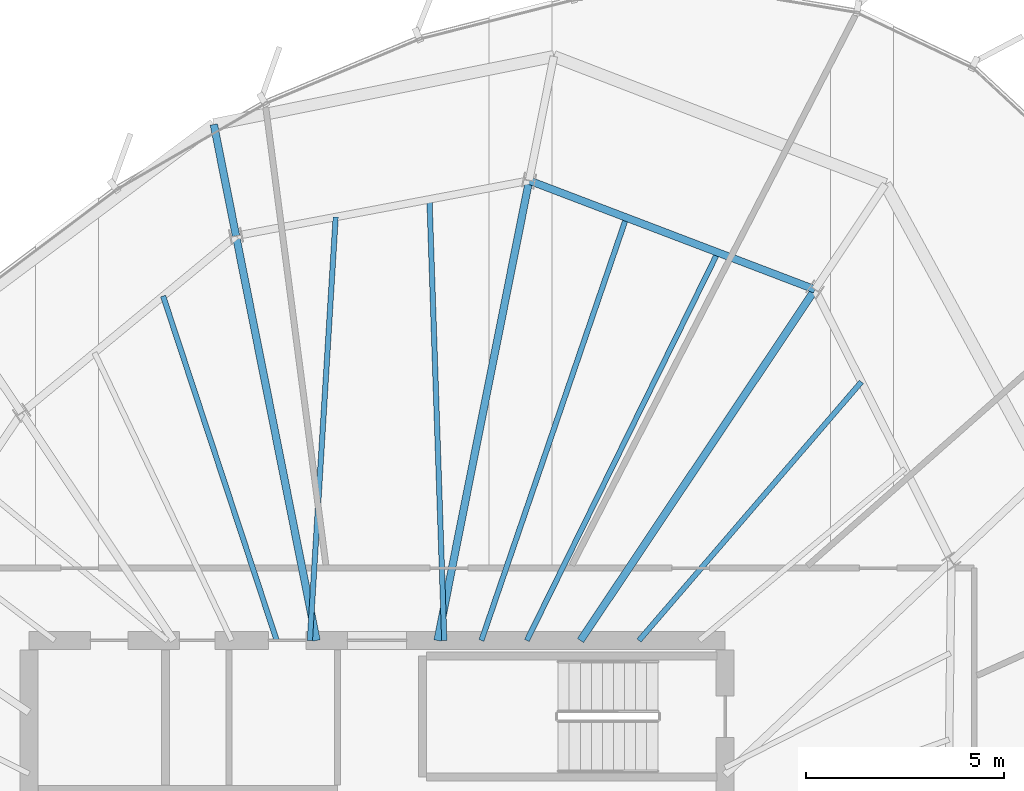
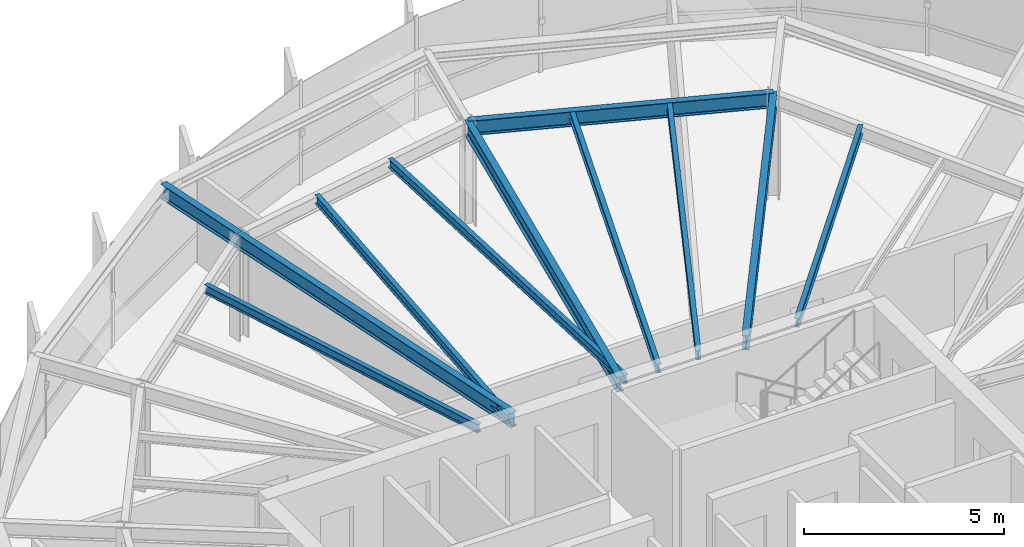
# One storey, part 21 of 34: 11 beams.
"""IFC4 building model written with IfcOpenShell, lengths in metres."""

import ifcopenshell
import ifcopenshell.guid

model = None  # the IFC model being written
_history = None  # IfcOwnerHistory: only IFC2X3 demands one
_inside = {}  # id of a spatial element -> (the spatial element, [elements in it])
_under = {}  # id of a project, library or spatial element -> (it, [spatial elements below it])
_declared = {}  # id of a project -> (the project, [libraries it declares])
_typed = {}  # id of a type object -> (the type object, [elements of that type])
_made_of = {}  # id of a material, layer set ... -> (it, [elements and type objects made of it])


def new_model(schema):
    """Start an empty IFC model of exactly this schema.

    Asked for "IFC4X3", IfcOpenShell would pick the latest addendum, in which some entities
    have other attributes; the version numbers below select the first issue.
    IFC2X3 requires an IfcOwnerHistory on every rooted entity: one is made here for all.
    """
    global model, _history
    if schema == "IFC4X3":
        model = ifcopenshell.file(schema_version=(4, 3, 0, 0))
    else:
        model = ifcopenshell.file(schema=schema)
    _inside.clear()
    _under.clear()
    _declared.clear()
    _typed.clear()
    _made_of.clear()
    _history = None
    if model.schema == "IFC2X3":
        org = make("IfcOrganization", Name="unknown")
        user = make(
            "IfcPersonAndOrganization",
            ThePerson=make("IfcPerson", FamilyName="unknown"),
            TheOrganization=org,
        )
        app = make(
            "IfcApplication",
            ApplicationDeveloper=org,
            Version="unknown",
            ApplicationFullName="unknown",
            ApplicationIdentifier="unknown",
        )
        _history = make(
            "IfcOwnerHistory",
            OwningUser=user,
            OwningApplication=app,
            ChangeAction="ADDED",
            CreationDate=0,
        )
    return model


def make(cls, **values):
    """One entity of the class cls with the attributes given. An attribute that is None is left unset."""
    return model.create_entity(
        cls, **{name: value for name, value in values.items() if value is not None}
    )


def rooted(cls, **values):
    """An entity with a GlobalId (a new one), such as an element, a storey or a relation."""
    return make(cls, GlobalId=ifcopenshell.guid.new(), OwnerHistory=_history, **values)


def si_unit(unit_type, name, prefix=None):
    """IfcSIUnit, for example si_unit("LENGTHUNIT", "METRE", prefix="MILLI")."""
    return make("IfcSIUnit", UnitType=unit_type, Prefix=prefix, Name=name)


def assignment(units):
    """IfcUnitAssignment: the units of a project."""
    return None if units is None else make("IfcUnitAssignment", Units=units)


def point(xyz):
    """IfcCartesianPoint."""
    return None if xyz is None else make("IfcCartesianPoint", Coordinates=xyz)


def direction(xyz):
    """IfcDirection."""
    return None if xyz is None else make("IfcDirection", DirectionRatios=xyz)


def frame(location, z_axis=None, x_axis=None):
    """IfcAxis2Placement3D, a coordinate frame: its origin and axes. An axis left out is left unset."""
    return make(
        "IfcAxis2Placement3D",
        Location=point(location),
        Axis=direction(z_axis),
        RefDirection=direction(x_axis),
    )


def frame_2d(location, x_axis=None):
    """IfcAxis2Placement2D, a coordinate frame in the plane: its origin and x axis."""
    return make(
        "IfcAxis2Placement2D", Location=point(location), RefDirection=direction(x_axis)
    )


def origin():
    """The frame at (0, 0, 0) with its axes left unset."""
    return frame((0.0, 0.0, 0.0))


def origin_2d():
    """The frame at (0, 0) in the plane with its x axis left unset."""
    return frame_2d((0.0, 0.0))


def place(relative_to, where):
    """IfcLocalPlacement: puts the frame where relative to a parent placement (None: the world)."""
    return make(
        "IfcLocalPlacement", PlacementRelTo=relative_to, RelativePlacement=where
    )


def context(
    kind, dimensions, precision=None, world=None, true_north=None, identifier=None
):
    """IfcGeometricRepresentationContext, for example the 3D "Model" context."""
    return make(
        "IfcGeometricRepresentationContext",
        ContextIdentifier=identifier,
        ContextType=kind,
        CoordinateSpaceDimension=dimensions,
        Precision=precision,
        WorldCoordinateSystem=world,
        TrueNorth=true_north,
    )


def subcontext(parent, identifier, kind, view, scale=None):
    """IfcGeometricRepresentationSubContext, for example "Body" below "Model"."""
    return make(
        "IfcGeometricRepresentationSubContext",
        ContextIdentifier=identifier,
        ContextType=kind,
        ParentContext=parent,
        TargetScale=scale,
        TargetView=view,
    )


def project(units=None, contexts=None):
    """IfcProject with its units and contexts."""
    return rooted(
        "IfcProject",
        Name="project",
        RepresentationContexts=contexts,
        UnitsInContext=assignment(units),
    )


def spatial(cls, under=None, at=None, **own):
    """A site, building, storey or space (cls), placed at a placement, below another one or the project."""
    s = rooted(cls, ObjectPlacement=at, **own)
    if under is not None:
        _under.setdefault(under.id(), (under, []))[1].append(s)
    return s


def profile(cls, at=None, kind="AREA", **sizes):
    """A parametric profile (cls). Its sizes go by their IFC names, for example OverallWidth=200.0."""
    return make(cls, ProfileType=kind, Position=at, **sizes)


def i_section(**sizes):
    """IfcIShapeProfileDef."""
    return profile("IfcIShapeProfileDef", **sizes)


def extrude(swept, where, along, depth):
    """IfcExtrudedAreaSolid: the profile swept, set in the frame where, extruded along a direction by depth."""
    return make(
        "IfcExtrudedAreaSolid",
        SweptArea=swept,
        Position=where,
        ExtrudedDirection=direction(along),
        Depth=depth,
    )


def shape(context_of_items, identifier, shape_type, items):
    """IfcShapeRepresentation: the items that make up one representation, for example the "Body"."""
    return make(
        "IfcShapeRepresentation",
        ContextOfItems=context_of_items,
        RepresentationIdentifier=identifier,
        RepresentationType=shape_type,
        Items=items,
    )


def source(mapping_origin, context_of_items, identifier, shape_type, items):
    """IfcRepresentationMap: a shape defined once, which mapped items show again and again."""
    return make(
        "IfcRepresentationMap",
        MappingOrigin=mapping_origin,
        MappedRepresentation=shape(context_of_items, identifier, shape_type, items),
    )


def transform(
    local_origin,
    x_axis=None,
    y_axis=None,
    z_axis=None,
    scale=None,
    scale2=None,
    scale3=None,
    uniform=True,
):
    """IfcCartesianTransformationOperator3D, or its non-uniform kind. x_axis, y_axis, z_axis: its Axis1, 2, 3."""
    if uniform:
        return make(
            "IfcCartesianTransformationOperator3D",
            Axis1=direction(x_axis),
            Axis2=direction(y_axis),
            LocalOrigin=point(local_origin),
            Scale=scale,
            Axis3=direction(z_axis),
        )
    return make(
        "IfcCartesianTransformationOperator3DnonUniform",
        Axis1=direction(x_axis),
        Axis2=direction(y_axis),
        LocalOrigin=point(local_origin),
        Scale=scale,
        Axis3=direction(z_axis),
        Scale2=scale2,
        Scale3=scale3,
    )


def mapped(mapping_source, mapping_target):
    """IfcMappedItem: shows the shape of a source again, moved by a transform."""
    return make(
        "IfcMappedItem", MappingSource=mapping_source, MappingTarget=mapping_target
    )


def material(Name=None, Category=None):
    """IfcMaterial."""
    return make("IfcMaterial", Name=Name, Category=Category)


def material_profile(
    of_material, cross_section, Name=None, Category=None, Priority=None
):
    """IfcMaterialProfile: a cross section and its material."""
    return make(
        "IfcMaterialProfile",
        Name=Name,
        Material=of_material,
        Profile=cross_section,
        Priority=Priority,
        Category=Category,
    )


def profile_set(profiles, Name=None, composite=None):
    """IfcMaterialProfileSet."""
    return make(
        "IfcMaterialProfileSet",
        Name=Name,
        MaterialProfiles=profiles,
        CompositeProfile=composite,
    )


def made_of(thing, what):
    """Note that an element or type object is made of a material, layer set ...; save() writes the relation."""
    if what is not None:
        _made_of.setdefault(what.id(), (what, []))[1].append(thing)
    return thing


def type_object(cls, material=None, **own):
    """A type object (cls), such as IfcWallType, which elements share."""
    return made_of(rooted(cls, **own), material)


def element(
    cls,
    number,
    at=None,
    inside=None,
    cuts=None,
    type_object=None,
    material=None,
    context=None,
    identifier="Body",
    shape_type=None,
    held_by="IfcProductDefinitionShape",
    body=None,
    shapes=None,
    **own,
):
    """One element of the class cls, such as IfcWall. Its Tag is "e" and its number.

    at: its placement. inside: the storey or other place that contains it. cuts: it is an
    opening in that element (IfcRelVoidsElement). A single representation is given by context,
    identifier, shape_type and body (its items); several are given by shapes. held_by: the class
    of the entity that holds the representations. save() writes the other relations.
    """
    e = rooted(cls, Tag="e%d" % number, ObjectPlacement=at, **own)
    if body is not None:
        shapes = [shape(context, identifier, shape_type, body)]
    if shapes is not None:
        e.Representation = make(held_by, Representations=shapes)
    if inside is not None:
        _inside.setdefault(inside.id(), (inside, []))[1].append(e)
    if cuts is not None:
        rooted(
            "IfcRelVoidsElement", RelatingBuildingElement=cuts, RelatedOpeningElement=e
        )
    if type_object is not None:
        _typed.setdefault(type_object.id(), (type_object, []))[1].append(e)
    return made_of(e, material)


def aggregate(whole, parts):
    """IfcRelAggregates: a whole, such as a stair, and the parts it consists of."""
    return rooted("IfcRelAggregates", RelatingObject=whole, RelatedObjects=parts)


def save(model, path):
    """Write the relations noted so far, then the file.

    IfcRelAggregates (storeys below a building ...), IfcRelContainedInSpatialStructure (elements
    in a storey), IfcRelDefinesByType, IfcRelAssociatesMaterial and IfcRelDeclares: one each for
    every whole, place, type object, material and project.
    """
    for whole, parts in _under.values():
        aggregate(whole, parts)
    for where, things in _inside.values():
        rooted(
            "IfcRelContainedInSpatialStructure",
            RelatedElements=things,
            RelatingStructure=where,
        )
    for kind, things in _typed.values():
        rooted("IfcRelDefinesByType", RelatedObjects=things, RelatingType=kind)
    for what, things in _made_of.values():
        rooted("IfcRelAssociatesMaterial", RelatedObjects=things, RelatingMaterial=what)
    for by, libraries in _declared.values():
        rooted("IfcRelDeclares", RelatingContext=by, RelatedDefinitions=libraries)
    model.write(path)


model = new_model("IFC4")

# Units and contexts
model_context = context("Model", 3, precision=1e-05, world=origin(), true_north=direction((0.0, 1.0)))
body_context = subcontext(model_context, "Body", "Model", "MODEL_VIEW")
ifc_project = project(units=[si_unit("LENGTHUNIT", "METRE"), si_unit("AREAUNIT", "SQUARE_METRE"), si_unit("VOLUMEUNIT", "CUBIC_METRE"), si_unit("PLANEANGLEUNIT", "RADIAN"), si_unit("MASSUNIT", "GRAM", prefix="KILO"), si_unit("THERMODYNAMICTEMPERATUREUNIT", "KELVIN")], contexts=[model_context])

# Site, building, storey
site_placement = place(None, origin())
site = spatial("IfcSite", under=ifc_project, at=site_placement, CompositionType="ELEMENT")
building_placement = place(site_placement, origin())
building = spatial("IfcBuilding", under=site, at=building_placement, Name="Kethvar Cultural Tower", CompositionType="ELEMENT")
storey_placement = place(building_placement, frame((0.0, 0.0, 259.449951171875)))
storey = spatial("IfcBuildingStorey", under=building, at=storey_placement, Name="L68", CompositionType="ELEMENT", Elevation=259.449951171875)

# Beams
ifc_material = material(Name="Steel S355J2", Category="steel")
ifc_material_profile_1 = material_profile(ifc_material, i_section(OverallWidth=0.18994140625, OverallDepth=0.449951171875, WebThickness=0.009521484375, FlangeThickness=0.0146484375, FilletRadius=0.02099609375, at=origin_2d()), Name="Steel S355J2 — IPE450")
ifc_profile_set_1 = profile_set([ifc_material_profile_1], Name="Steel S355J2 — IPE450")
beam_type_1 = type_object("IfcBeamType", Name="BM-IPE450", PredefinedType="BEAM", material=ifc_profile_set_1)
shared_shape_1 = source(origin(), body_context, "Body", "SweptSolid", [
    extrude(i_section(OverallWidth=0.18994140625, OverallDepth=0.449951171875, WebThickness=0.009521484375, FlangeThickness=0.0146484375, FilletRadius=0.02099609375, at=origin_2d()), origin(), (0.0, 0.0, 1.0), 10.673828125),
])
beam_1_placement = place(storey_placement, frame((51.945068359375, 35.5, 2.983154296875), z_axis=(0.555576086183, 0.831465701314, 0.0), x_axis=(-0.831465701314, 0.555576086183, 0.0)))
element("IfcBeam", 1, at=beam_1_placement, inside=storey, type_object=beam_type_1, Name="L68 Primary Radial Beam RB-03", PredefinedType="BEAM", context=body_context, shape_type="MappedRepresentation", body=[
    mapped(shared_shape_1, transform((0.0, 0.0, 0.0), scale=1.0)),
])
shared_shape_2 = source(origin(), body_context, "Body", "SweptSolid", [
    extrude(i_section(OverallWidth=0.18994140625, OverallDepth=0.449951171875, WebThickness=0.009521484375, FlangeThickness=0.0146484375, FilletRadius=0.02099609375, at=origin_2d()), origin(), (0.0, 0.0, 1.0), 11.859375),
])
beam_2_placement = place(storey_placement, frame((48.33154296875, 35.5, 2.983154296875), z_axis=(0.195094640585, 0.980784421377, 0.0), x_axis=(-0.980784421377, 0.195094640585, 0.0)))
element("IfcBeam", 2, at=beam_2_placement, inside=storey, type_object=beam_type_1, Name="L68 Primary Radial Beam RB-04", PredefinedType="BEAM", context=body_context, shape_type="MappedRepresentation", body=[
    mapped(shared_shape_2, transform((0.0, 0.0, 0.0), scale=1.0)),
])
shared_shape_3 = source(origin(), body_context, "Body", "SweptSolid", [
    extrude(i_section(OverallWidth=0.18994140625, OverallDepth=0.449951171875, WebThickness=0.009521484375, FlangeThickness=0.0146484375, FilletRadius=0.02099609375, at=origin_2d()), origin(), (0.0, 0.0, 1.0), 10.432861328125),
])
beam_3_placement = place(storey_placement, frame((45.268310546875, 35.5, 2.983154296875), z_axis=(-0.195094483249, 0.980784452673, 0.0), x_axis=(-0.980784452673, -0.195094483249, 0.0)))
element("IfcBeam", 3, at=beam_3_placement, inside=storey, type_object=beam_type_1, Name="L68 Primary Radial Beam RB-05", PredefinedType="BEAM", context=body_context, shape_type="MappedRepresentation", body=[
    mapped(shared_shape_3, transform((0.0, 0.0, 0.0), scale=1.0)),
])
ifc_material_profile_2 = material_profile(ifc_material, i_section(OverallWidth=0.135009765625, OverallDepth=0.27001953125, WebThickness=0.006591796875, FlangeThickness=0.01025390625, FilletRadius=0.014892578125, at=origin_2d()), Name="Steel S355J2 — IPE270")
ifc_profile_set_2 = profile_set([ifc_material_profile_2], Name="Steel S355J2 — IPE270")
beam_type_2 = type_object("IfcBeamType", Name="BM-J270", PredefinedType="JOIST", material=ifc_profile_set_2)
shared_shape_4 = source(origin(), body_context, "Body", "SweptSolid", [
    extrude(i_section(OverallWidth=0.135009765625, OverallDepth=0.27001953125, WebThickness=0.006591796875, FlangeThickness=0.01025390625, FilletRadius=0.014892578125, at=origin_2d()), origin(), (0.0, 0.0, 1.0), 8.6259765625),
])
beam_4_placement = place(storey_placement, frame((53.42333984375, 35.5, 3.072998046875), z_axis=(0.65210499689, 0.758128665222, 0.0), x_axis=(-0.758128665222, 0.65210499689, 0.0)))
element("IfcBeam", 4, at=beam_4_placement, inside=storey, type_object=beam_type_2, Name="L68 Composite Floor Joist J-02B", PredefinedType="JOIST", context=body_context, shape_type="MappedRepresentation", body=[
    mapped(shared_shape_4, transform((0.0, 0.0, 0.0), scale=1.0)),
])
shared_shape_5 = source(origin(), body_context, "Body", "SweptSolid", [
    extrude(i_section(OverallWidth=0.18994140625, OverallDepth=0.449951171875, WebThickness=0.009521484375, FlangeThickness=0.0146484375, FilletRadius=0.02099609375, at=origin_2d()), origin(), (0.0, 0.0, 1.0), 7.737548828125),
])
beam_5_placement = place(storey_placement, frame((57.875244140625, 44.375, 2.983154296875), z_axis=(-0.934388230776, 0.356256416347, 0.0), x_axis=(-0.356256416347, -0.934388230776, 0.0)))
element("IfcBeam", 5, at=beam_5_placement, inside=storey, type_object=beam_type_1, Name="L68 Column Ring Tie Beam CR-03", PredefinedType="BEAM", context=body_context, shape_type="MappedRepresentation", body=[
    mapped(shared_shape_5, transform((0.0, 0.0, 0.0), scale=1.0)),
])
shared_shape_6 = source(origin(), body_context, "Body", "SweptSolid", [
    extrude(i_section(OverallWidth=0.135009765625, OverallDepth=0.27001953125, WebThickness=0.006591796875, FlangeThickness=0.01025390625, FilletRadius=0.014892578125, at=origin_2d()), origin(), (0.0, 0.0, 1.0), 10.935791015625),
])
beam_6_placement = place(storey_placement, frame((50.5888671875, 35.5, 3.072998046875), z_axis=(0.441498236677, 0.897262117227, 0.0), x_axis=(-0.897262117227, 0.441498236677, 0.0)))
element("IfcBeam", 6, at=beam_6_placement, inside=storey, type_object=beam_type_2, Name="L68 Composite Floor Joist J-03A", PredefinedType="JOIST", context=body_context, shape_type="MappedRepresentation", body=[
    mapped(shared_shape_6, transform((0.0, 0.0, 0.0), scale=1.0)),
])
shared_shape_7 = source(origin(), body_context, "Body", "SweptSolid", [
    extrude(i_section(OverallWidth=0.135009765625, OverallDepth=0.27001953125, WebThickness=0.006591796875, FlangeThickness=0.01025390625, FilletRadius=0.014892578125, at=origin_2d()), origin(), (0.0, 0.0, 1.0), 11.304931640625),
])
beam_7_placement = place(storey_placement, frame((49.438720703125, 35.5, 3.072998046875), z_axis=(0.324179110764, 0.945995720997, 0.0), x_axis=(-0.945995720997, 0.324179110764, 0.0)))
element("IfcBeam", 7, at=beam_7_placement, inside=storey, type_object=beam_type_2, Name="L68 Composite Floor Joist J-03B", PredefinedType="JOIST", context=body_context, shape_type="MappedRepresentation", body=[
    mapped(shared_shape_7, transform((0.0, 0.0, 0.0), scale=1.0)),
])
shared_shape_8 = source(origin(), body_context, "Body", "SweptSolid", [
    extrude(i_section(OverallWidth=0.135009765625, OverallDepth=0.27001953125, WebThickness=0.006591796875, FlangeThickness=0.01025390625, FilletRadius=0.014892578125, at=origin_2d()), origin(), (0.0, 0.0, 1.0), 11.162109375),
])
beam_8_placement = place(storey_placement, frame((48.5, 35.5, 3.072998046875), z_axis=(-0.0335959409, 0.999435497046, 0.0), x_axis=(-0.999435497046, -0.0335959409, 0.0)))
element("IfcBeam", 8, at=beam_8_placement, inside=storey, type_object=beam_type_2, Name="L68 Composite Floor Joist J-04A", PredefinedType="JOIST", context=body_context, shape_type="MappedRepresentation", body=[
    mapped(shared_shape_8, transform((0.0, 0.0, 0.0), scale=1.0)),
])
shared_shape_9 = source(origin(), body_context, "Body", "SweptSolid", [
    extrude(i_section(OverallWidth=0.135009765625, OverallDepth=0.27001953125, WebThickness=0.006591796875, FlangeThickness=0.01025390625, FilletRadius=0.014892578125, at=origin_2d()), origin(), (0.0, 0.0, 1.0), 10.727783203125),
])
beam_9_placement = place(storey_placement, frame((45.10009765625, 35.5, 3.072998046875), z_axis=(0.060876395586, 0.998145312297, 0.0), x_axis=(-0.998145312297, 0.060876395586, 0.0)))
element("IfcBeam", 9, at=beam_9_placement, inside=storey, type_object=beam_type_2, Name="L68 Composite Floor Joist J-04B", PredefinedType="JOIST", context=body_context, shape_type="MappedRepresentation", body=[
    mapped(shared_shape_9, transform((0.0, 0.0, 0.0), scale=1.0)),
])
shared_shape_10 = source(origin(), body_context, "Body", "SweptSolid", [
    extrude(i_section(OverallWidth=0.135009765625, OverallDepth=0.27001953125, WebThickness=0.006591796875, FlangeThickness=0.01025390625, FilletRadius=0.014892578125, at=origin_2d()), origin(), (0.0, 0.0, 1.0), 9.17138671875),
])
beam_10_placement = place(storey_placement, frame((44.260986328125, 35.5, 3.072998046875), z_axis=(-0.313151555446, 0.949703165901, 0.0), x_axis=(-0.949703165901, -0.313151555446, 0.0)))
element("IfcBeam", 10, at=beam_10_placement, inside=storey, type_object=beam_type_2, Name="L68 Composite Floor Joist J-05A", PredefinedType="JOIST", context=body_context, shape_type="MappedRepresentation", body=[
    mapped(shared_shape_10, transform((0.0, 0.0, 0.0), scale=1.0)),
])
shared_shape_11 = source(origin(), body_context, "Body", "SweptSolid", [
    extrude(i_section(OverallWidth=0.18994140625, OverallDepth=0.449951171875, WebThickness=0.009521484375, FlangeThickness=0.0146484375, FilletRadius=0.02099609375, at=origin_2d()), origin(), (0.0, 0.0, 1.0), 2.87158203125),
])
beam_11_placement = place(storey_placement, frame((43.23291015625, 45.732421875, 2.983154296875), z_axis=(-0.195118694971, 0.980779636245, 0.0), x_axis=(-0.980779636245, -0.195118694971, 0.0)))
element("IfcBeam", 11, at=beam_11_placement, inside=storey, type_object=beam_type_1, Name="L68 Perimeter Cantilever Beam RC-05", PredefinedType="BEAM", context=body_context, shape_type="MappedRepresentation", body=[
    mapped(shared_shape_11, transform((0.0, 0.0, 0.0), scale=1.0)),
])

save(model, "model.ifc")
